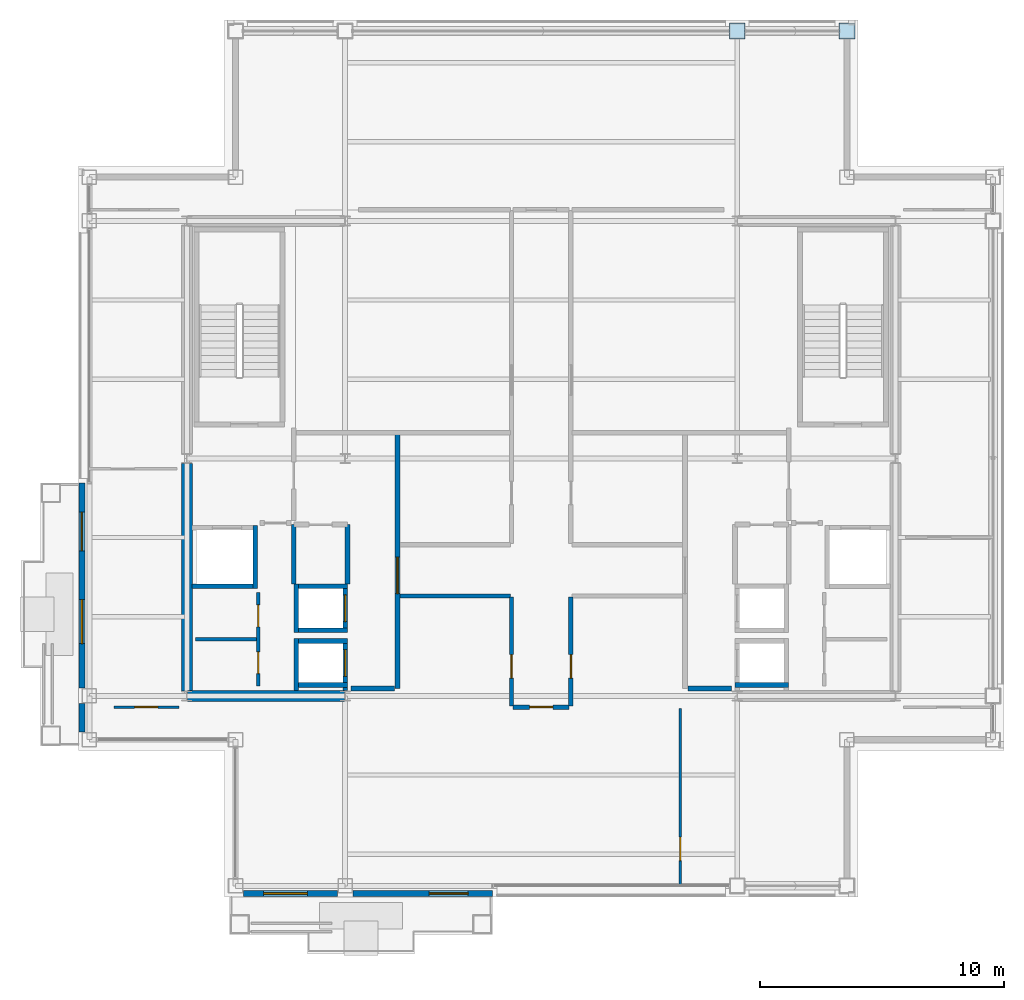
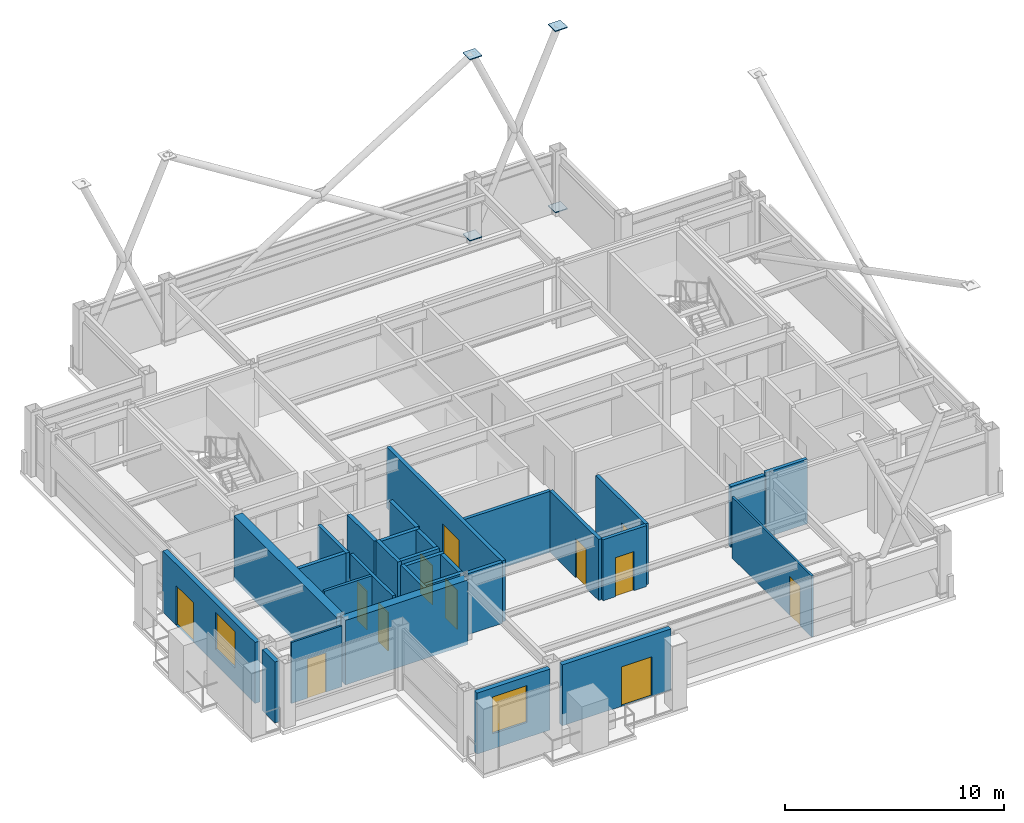
# One storey, part 22 of 27: 30 walls, 12 doors, 4 plates, 2 windows, 14 openings.
"""IFC4 building model written with IfcOpenShell, lengths in metres."""

from ifc_helpers import new_model, si_unit, direction, frame, frame_2d, origin, origin_2d, place, context, subcontext, project, spatial, rectangle, extrude, material, layer, layer_set, type_object, element, fill, save


model = new_model("IFC4")

# Units and contexts
model_context = context("Model", 3, precision=1e-05, world=origin(), true_north=direction((0.0, 1.0)))
body_context = subcontext(model_context, "Body", "Model", "MODEL_VIEW")
ifc_project = project(units=[si_unit("LENGTHUNIT", "METRE"), si_unit("AREAUNIT", "SQUARE_METRE"), si_unit("VOLUMEUNIT", "CUBIC_METRE"), si_unit("PLANEANGLEUNIT", "RADIAN"), si_unit("MASSUNIT", "GRAM", prefix="KILO")], contexts=[model_context])

# Site, building, storey
site_placement = place(None, origin())
site = spatial("IfcSite", under=ifc_project, at=site_placement, CompositionType="ELEMENT")
building_placement = place(site_placement, origin())
building = spatial("IfcBuilding", under=site, at=building_placement, Name="Brelmoor Portico Tower", CompositionType="ELEMENT")
storey_placement = place(building_placement, frame((0.0, 0.0, 258.0)))
storey = spatial("IfcBuildingStorey", under=building, at=storey_placement, Name="L68", CompositionType="ELEMENT", Elevation=258.0)

# Plates
ifc_material_1 = material(Name="Steel Q355B", Category="steel")
ifc_layer_1 = layer(ifc_material_1, 0.044921875)
ifc_layer_set_1 = layer_set([ifc_layer_1], Name="Steel Q355B")
plate_type = type_object("IfcPlateType", Name="PT-CAP-650", PredefinedType="SHEET", material=ifc_layer_set_1)
for number, where, z_axis, x_axis, name in (
    (1, (8.050048828125, 17.550048828125, 10.32763671875), (0.0, 0.0, 1.0), (1.0, 0.0, 0.0), "L68 Continuous Mega-X Brace 152A Joint Cap Plate 2"),
    (2, (8.050048828125, 17.550048828125, 0.2275390625), (0.0, 0.0, 1.0), (1.0, 0.0, 0.0), "L68 Split Mega-X Brace 152B1 Joint Cap Plate 1"),
    (3, (12.550048828125, 17.550048828125, 10.32763671875), (0.0, 0.0, 1.0), (1.0, 0.0, 0.0), "L68 Continuous Mega-X Brace 153A Joint Cap Plate 2"),
    (4, (12.550048828125, 17.550048828125, 0.2275390625), (0.0, 0.0, 1.0), (1.0, 0.0, 0.0), "L68 Split Mega-X Brace 153B1 Joint Cap Plate 1"),
):
    element("IfcPlate", number, at=place(storey_placement, frame(where, z_axis=z_axis, x_axis=x_axis)), inside=storey, type_object=plate_type, Name=name, PredefinedType="SHEET", context=body_context, shape_type="SweptSolid", body=[
        extrude(rectangle(XDim=0.64990234375, YDim=0.64990234375, at=origin_2d()), origin(), (0.0, 0.0, 1.0), 0.044921875),
    ])

# Walls
ifc_material_2 = material(Name="Concrete C50", Category="concrete")
ifc_layer_2 = layer(ifc_material_2, 0.449951171875)
ifc_layer_set_2 = layer_set([ifc_layer_2], Name="Concrete C50")
wall_type_1 = type_object("IfcWallType", Name="WL-CORE-450", PredefinedType="SHEAR", material=ifc_layer_set_2)
wall_1_placement = place(storey_placement, frame((-14.530029296875, -9.75, -0.199951171875), z_axis=(0.0, 0.0, 1.0), x_axis=(1.0, 0.0, 0.0)))
element("IfcWall", 5, at=wall_1_placement, inside=storey, type_object=wall_type_1, Name="L68 WC South Shear Wall", PredefinedType="SHEAR", context=body_context, shape_type="SweptSolid", body=[
    extrude(rectangle(XDim=6.4599609375, YDim=0.449951171875, at=frame_2d((3.22998046875, 0.0))), origin(), (0.0, 0.0, 1.0), 3.599853515625),
])
wall_2_placement = place(storey_placement, frame((-14.550048828125, -9.550048828125, -0.199951171875), z_axis=(0.0, 0.0, 1.0), x_axis=(0.0, 1.0, 0.0)))
element("IfcWall", 6, at=wall_2_placement, inside=storey, type_object=wall_type_1, Name="L68 WC Outer South Shear Wall", PredefinedType="SHEAR", context=body_context, shape_type="SweptSolid", body=[
    extrude(rectangle(XDim=9.35009765625, YDim=0.449951171875, at=frame_2d((4.675048828125, 0.0))), origin(), (0.0, 0.0, 1.0), 3.599853515625),
])

# Wall, opening, window
ifc_material_3 = material(Name="Precast Concrete C40 Insulated Facade Wall", Category="concrete")
ifc_layer_3 = layer(ifc_material_3, 0.25)
ifc_layer_set_3 = layer_set([ifc_layer_3], Name="Precast Concrete C40 Insulated Facade Wall")
wall_type_2 = type_object("IfcWallType", Name="WL-EXT-250", PredefinedType="STANDARD", material=ifc_layer_set_3)
wall_3_placement = place(storey_placement, frame((-12.22998046875, -17.860107421875, 0.0), z_axis=(0.0, 0.0, 1.0), x_axis=(1.0, 0.0, 0.0)))
wall_3 = element("IfcWall", 7, at=wall_3_placement, inside=storey, type_object=wall_type_2, Name="L68 Loggia Threshold Wall S-1", PredefinedType="STANDARD", context=body_context, shape_type="SweptSolid", body=[
    extrude(rectangle(XDim=3.85986328125, YDim=0.25, at=frame_2d((1.929931640625, 0.0))), origin(), (0.0, 0.0, 1.0), 3.39990234375),
])
opening_1_placement = place(wall_3_placement, frame((0.830078125, 0.0, 0.85009765625)))
opening_1 = element("IfcOpeningElement", 8, at=opening_1_placement, cuts=wall_3, Name="Opening W-03C", PredefinedType="OPENING", context=body_context, shape_type="SweptSolid", body=[
    extrude(rectangle(XDim=1.800048828125, YDim=2.050048828125, at=frame_2d((0.89990234375, 1.02490234375))), frame((0.0, 0.135009765625, 0.0), z_axis=(0.0, -1.0, 0.0), x_axis=(1.0, 0.0, 0.0)), (0.0, 0.0, 1.0), 0.27001953125),
])
ifc_material_4 = material(Name="Thermally Broken Aluminium Low-E Window", Category="aluminium")
window_type = type_object("IfcWindowType", Name="WN-LOGGIA-1800x2050", PartitioningType="SINGLE_PANEL", PredefinedType="WINDOW", material=ifc_material_4)
window_1_placement = place(opening_1_placement, origin())
window_1 = element("IfcWindow", 9, at=window_1_placement, inside=storey, type_object=window_type, Name="L68 Loggia Window S", OverallHeight=2.050048828125, OverallWidth=1.800048828125, PartitioningType="SINGLE_PANEL", PredefinedType="WINDOW", context=body_context, shape_type="SweptSolid", body=[
    extrude(rectangle(XDim=1.800048828125, YDim=2.050048828125, at=frame_2d((0.89990234375, 1.02490234375))), frame((0.0, 0.030029296875, 0.0), z_axis=(0.0, -1.0, 0.0), x_axis=(1.0, 0.0, 0.0)), (0.0, 0.0, 1.0), 0.06005859375),
])
fill(opening_1, window_1)

# Wall, opening, door
wall_4_placement = place(storey_placement, frame((-7.72998046875, -17.860107421875, 0.0), z_axis=(0.0, 0.0, 1.0), x_axis=(1.0, 0.0, 0.0)))
wall_4 = element("IfcWall", 10, at=wall_4_placement, inside=storey, type_object=wall_type_2, Name="L68 Loggia Threshold Wall S-2", PredefinedType="STANDARD", context=body_context, shape_type="SweptSolid", body=[
    extrude(rectangle(XDim=5.72998046875, YDim=0.25, at=frame_2d((2.864990234375, 0.0))), origin(), (0.0, 0.0, 1.0), 3.39990234375),
])
opening_2_placement = place(wall_4_placement, frame((3.1298828125, 0.0, 0.0)))
opening_2 = element("IfcOpeningElement", 11, at=opening_2_placement, cuts=wall_4, Name="Opening D-TB1", PredefinedType="OPENING", context=body_context, shape_type="SweptSolid", body=[
    extrude(rectangle(XDim=1.60009765625, YDim=2.199951171875, at=frame_2d((0.800048828125, 1.10009765625))), frame((0.0, 0.135009765625, 0.0), z_axis=(0.0, -1.0, 0.0), x_axis=(1.0, 0.0, 0.0)), (0.0, 0.0, 1.0), 0.27001953125),
])
ifc_material_5 = material(Name="Double-Leaf Thermally Broken Terrace Door", Category="aluminium")
door_type_1 = type_object("IfcDoorType", Name="DR-BALCONY-1600", OperationType="NOTDEFINED", PredefinedType="DOOR", material=ifc_material_5)
door_1_placement = place(opening_2_placement, origin())
door_1 = element("IfcDoor", 12, at=door_1_placement, inside=storey, type_object=door_type_1, Name="D-2810 L68 Tree Balcony Double Door S", OperationType="DOUBLE_DOOR_SINGLE_SWING", OverallHeight=2.199951171875, OverallWidth=1.60009765625, PredefinedType="DOOR", context=body_context, shape_type="SweptSolid", body=[
    extrude(rectangle(XDim=1.60009765625, YDim=2.199951171875, at=frame_2d((0.800048828125, 1.10009765625))), frame((0.0, 0.02490234375, 0.0), z_axis=(0.0, -1.0, 0.0), x_axis=(1.0, 0.0, 0.0)), (0.0, 0.0, 1.0), 0.050048828125),
])
fill(opening_2, door_1)

# Wall
wall_5_placement = place(storey_placement, frame((-18.860107421875, -11.22998046875, 0.0), z_axis=(0.0, 0.0, 1.0), x_axis=(0.0, 1.0, 0.0)))
element("IfcWall", 13, at=wall_5_placement, inside=storey, type_object=wall_type_2, Name="L68 Loggia Threshold Wall W-1", PredefinedType="STANDARD", context=body_context, shape_type="SweptSolid", body=[
    extrude(rectangle(XDim=1.159912109375, YDim=0.25, at=frame_2d((0.580078125, 0.0))), origin(), (0.0, 0.0, 1.0), 3.39990234375),
])

# Wall, openings, door, window
wall_6_placement = place(storey_placement, frame((-18.860107421875, -9.429931640625, 0.0), z_axis=(0.0, 0.0, 1.0), x_axis=(0.0, 1.0, 0.0)))
wall_6 = element("IfcWall", 14, at=wall_6_placement, inside=storey, type_object=wall_type_2, Name="L68 Loggia Threshold Wall W-2", PredefinedType="STANDARD", context=body_context, shape_type="SweptSolid", body=[
    extrude(rectangle(XDim=8.429931640625, YDim=0.25, at=frame_2d((4.21484375, 0.0))), origin(), (0.0, 0.0, 1.0), 3.39990234375),
])
opening_3_placement = place(wall_6_placement, frame((5.6298828125, 0.0, 0.0)))
opening_3 = element("IfcOpeningElement", 15, at=opening_3_placement, cuts=wall_6, Name="Opening D-TB1", PredefinedType="OPENING", context=body_context, shape_type="SweptSolid", body=[
    extrude(rectangle(XDim=1.60009765625, YDim=2.199951171875, at=frame_2d((0.800048828125, 1.10009765625))), frame((0.0, 0.135009765625, 0.0), z_axis=(0.0, -1.0, 0.0), x_axis=(1.0, 0.0, 0.0)), (0.0, 0.0, 1.0), 0.27001953125),
])
opening_4_placement = place(wall_6_placement, frame((1.830078125, 0.0, 0.85009765625)))
opening_4 = element("IfcOpeningElement", 16, at=opening_4_placement, cuts=wall_6, Name="Opening W-03C", PredefinedType="OPENING", context=body_context, shape_type="SweptSolid", body=[
    extrude(rectangle(XDim=1.800048828125, YDim=2.050048828125, at=frame_2d((0.89990234375, 1.02490234375))), frame((0.0, 0.135009765625, 0.0), z_axis=(0.0, -1.0, 0.0), x_axis=(1.0, 0.0, 0.0)), (0.0, 0.0, 1.0), 0.27001953125),
])
door_2_placement = place(opening_3_placement, origin())
door_2 = element("IfcDoor", 17, at=door_2_placement, inside=storey, type_object=door_type_1, Name="D-2811 L68 Tree Balcony Double Door W", OperationType="DOUBLE_DOOR_SINGLE_SWING", OverallHeight=2.199951171875, OverallWidth=1.60009765625, PredefinedType="DOOR", context=body_context, shape_type="SweptSolid", body=[
    extrude(rectangle(XDim=1.60009765625, YDim=2.199951171875, at=frame_2d((0.800048828125, 1.10009765625))), frame((0.0, 0.02490234375, 0.0), z_axis=(0.0, -1.0, 0.0), x_axis=(1.0, 0.0, 0.0)), (0.0, 0.0, 1.0), 0.050048828125),
])
fill(opening_3, door_2)
window_2_placement = place(opening_4_placement, origin())
window_2 = element("IfcWindow", 18, at=window_2_placement, inside=storey, type_object=window_type, Name="L68 Loggia Window W", OverallHeight=2.050048828125, OverallWidth=1.800048828125, PartitioningType="SINGLE_PANEL", PredefinedType="WINDOW", context=body_context, shape_type="SweptSolid", body=[
    extrude(rectangle(XDim=1.800048828125, YDim=2.050048828125, at=frame_2d((0.89990234375, 1.02490234375))), frame((0.0, 0.030029296875, 0.0), z_axis=(0.0, -1.0, 0.0), x_axis=(1.0, 0.0, 0.0)), (0.0, 0.0, 1.0), 0.06005859375),
])
fill(opening_4, window_2)

# Wall, opening, door
ifc_material_6 = material(Name="Demountable Glazed Office Partition", Category="aluminium")
ifc_layer_4 = layer(ifc_material_6, 0.10009765625)
ifc_layer_set_4 = layer_set([ifc_layer_4], Name="Demountable Glazed Office Partition")
wall_type_3 = type_object("IfcWallType", Name="WL-PART-100", PredefinedType="PARTITIONING", material=ifc_layer_set_4)
wall_7_placement = place(storey_placement, frame((5.705078125, -17.56005859375, 0.0), z_axis=(0.0, 0.0, 1.0), x_axis=(0.0, 1.0, 0.0)))
wall_7 = element("IfcWall", 19, at=wall_7_placement, inside=storey, type_object=wall_type_3, Name="L68 South Suite Partition 1", PredefinedType="PARTITIONING", context=body_context, shape_type="SweptSolid", body=[
    extrude(rectangle(XDim=7.2900390625, YDim=0.10009765625, at=frame_2d((3.64501953125, 0.0))), origin(), (0.0, 0.0, 1.0), 3.39990234375),
])
opening_5_placement = place(wall_7_placement, frame((1.050048828125, 0.0, 0.0)))
opening_5 = element("IfcOpeningElement", 20, at=opening_5_placement, cuts=wall_7, Name="Opening D-IN2", PredefinedType="OPENING", context=body_context, shape_type="SweptSolid", body=[
    extrude(rectangle(XDim=0.9599609375, YDim=2.179931640625, at=frame_2d((0.47998046875, 1.08984375))), frame((0.0, 0.06005859375, 0.0), z_axis=(0.0, -1.0, 0.0), x_axis=(1.0, 0.0, 0.0)), (0.0, 0.0, 1.0), 0.1201171875),
])
ifc_material_7 = material(Name="Lacquered Timber Suite Door", Category="wood")
door_type_2 = type_object("IfcDoorType", Name="DR-INT-950", OperationType="NOTDEFINED", PredefinedType="DOOR", material=ifc_material_7)
door_3_placement = place(opening_5_placement, origin())
door_3 = element("IfcDoor", 21, at=door_3_placement, inside=storey, type_object=door_type_2, Name="D-2805 L68 South Suite Connecting Door 1", OperationType="SINGLE_SWING_LEFT", OverallHeight=2.179931640625, OverallWidth=0.9599609375, PredefinedType="DOOR", context=body_context, shape_type="SweptSolid", body=[
    extrude(rectangle(XDim=0.9599609375, YDim=2.179931640625, at=frame_2d((0.47998046875, 1.08984375))), frame((0.0, 0.02490234375, 0.0), z_axis=(0.0, -1.0, 0.0), x_axis=(1.0, 0.0, 0.0)), (0.0, 0.0, 1.0), 0.050048828125),
])
fill(opening_5, door_3)

wall_8_placement = place(storey_placement, frame((-17.550048828125, -10.2099609375, 0.0), z_axis=(0.0, 0.0, 1.0), x_axis=(1.0, 0.0, 0.0)))
wall_8 = element("IfcWall", 22, at=wall_8_placement, inside=storey, type_object=wall_type_3, Name="L68 South Wing Closure WL", PredefinedType="PARTITIONING", context=body_context, shape_type="SweptSolid", body=[
    extrude(rectangle(XDim=2.670166015625, YDim=0.10009765625, at=frame_2d((1.3349609375, 0.0))), origin(), (0.0, 0.0, 1.0), 3.39990234375),
])
opening_6_placement = place(wall_8_placement, frame((0.85498046875, 0.0, 0.0)))
opening_6 = element("IfcOpeningElement", 23, at=opening_6_placement, cuts=wall_8, Name="Opening D-IN2", PredefinedType="OPENING", context=body_context, shape_type="SweptSolid", body=[
    extrude(rectangle(XDim=0.9599609375, YDim=2.179931640625, at=frame_2d((0.47998046875, 1.08984375))), frame((0.0, 0.06005859375, 0.0), z_axis=(0.0, -1.0, 0.0), x_axis=(1.0, 0.0, 0.0)), (0.0, 0.0, 1.0), 0.1201171875),
])
door_4_placement = place(opening_6_placement, origin())
door_4 = element("IfcDoor", 24, at=door_4_placement, inside=storey, type_object=door_type_2, Name="D-2809 L68 WL Wing South Suite Door", OperationType="SINGLE_SWING_LEFT", OverallHeight=2.179931640625, OverallWidth=0.9599609375, PredefinedType="DOOR", context=body_context, shape_type="SweptSolid", body=[
    extrude(rectangle(XDim=0.9599609375, YDim=2.179931640625, at=frame_2d((0.47998046875, 1.08984375))), frame((0.0, 0.02490234375, 0.0), z_axis=(0.0, -1.0, 0.0), x_axis=(1.0, 0.0, 0.0)), (0.0, 0.0, 1.0), 0.050048828125),
])
fill(opening_6, door_4)

# Wall
ifc_material_8 = material(Name="Insulated Stud Suite Partition", Category="gypsum")
ifc_layer_5 = layer(ifc_material_8, 0.139892578125)
ifc_layer_set_5 = layer_set([ifc_layer_5], Name="Insulated Stud Suite Partition")
wall_type_4 = type_object("IfcWallType", Name="WL-PART-140", PredefinedType="PARTITIONING", material=ifc_layer_set_5)
wall_9_placement = place(storey_placement, frame((-11.699951171875, -7.425048828125, 0.0), z_axis=(0.0, 0.0, 1.0), x_axis=(-1.0, 0.0, 0.0)))
element("IfcWall", 25, at=wall_9_placement, inside=storey, type_object=wall_type_4, Name="L68 W Core WC Divider 1", PredefinedType="PARTITIONING", context=body_context, shape_type="SweptSolid", body=[
    extrude(rectangle(XDim=2.5, YDim=0.139892578125, at=frame_2d((1.25, 0.0))), origin(), (0.0, 0.0, 1.0), 3.39990234375),
])

# Wall, openings, doors
ifc_material_9 = material(Name="Twin-Frame Acoustic Partition", Category="gypsum")
ifc_layer_6 = layer(ifc_material_9, 0.159912109375)
ifc_layer_set_6 = layer_set([ifc_layer_6], Name="Twin-Frame Acoustic Partition")
wall_type_5 = type_object("IfcWallType", Name="WL-PART-160", PredefinedType="PARTITIONING", material=ifc_layer_set_6)
wall_10_placement = place(storey_placement, frame((-11.6201171875, -9.35009765625, 0.0), z_axis=(0.0, 0.0, 1.0), x_axis=(0.0, 1.0, 0.0)))
wall_10 = element("IfcWall", 26, at=wall_10_placement, inside=storey, type_object=wall_type_5, Name="L68 W Core Service Front Wall", PredefinedType="PARTITIONING", context=body_context, shape_type="SweptSolid", body=[
    extrude(rectangle(XDim=3.85009765625, YDim=0.159912109375, at=frame_2d((1.925048828125, 0.0))), origin(), (0.0, 0.0, 1.0), 3.39990234375),
])
opening_7_placement = place(wall_10_placement, frame((0.512451171875, 0.0, 0.0)))
opening_7 = element("IfcOpeningElement", 27, at=opening_7_placement, cuts=wall_10, Name="Opening D-IN1", PredefinedType="OPENING", context=body_context, shape_type="SweptSolid", body=[
    extrude(rectangle(XDim=0.89990234375, YDim=2.14990234375, at=frame_2d((0.449951171875, 1.074951171875))), frame((0.0, 0.08984375, 0.0), z_axis=(0.0, -1.0, 0.0), x_axis=(1.0, 0.0, 0.0)), (0.0, 0.0, 1.0), 0.179931640625),
])
opening_8_placement = place(wall_10_placement, frame((2.4375, 0.0, 0.0)))
opening_8 = element("IfcOpeningElement", 28, at=opening_8_placement, cuts=wall_10, Name="Opening D-IN1", PredefinedType="OPENING", context=body_context, shape_type="SweptSolid", body=[
    extrude(rectangle(XDim=0.89990234375, YDim=2.14990234375, at=frame_2d((0.449951171875, 1.074951171875))), frame((0.0, 0.08984375, 0.0), z_axis=(0.0, -1.0, 0.0), x_axis=(1.0, 0.0, 0.0)), (0.0, 0.0, 1.0), 0.179931640625),
])
door_type_3 = type_object("IfcDoorType", Name="DR-INT-900", OperationType="NOTDEFINED", PredefinedType="DOOR", material=ifc_material_7)
door_5_placement = place(opening_7_placement, origin())
door_5 = element("IfcDoor", 29, at=door_5_placement, inside=storey, type_object=door_type_3, Name="D-2793 L68 W Accessible WC Door", OperationType="SINGLE_SWING_LEFT", OverallHeight=2.14990234375, OverallWidth=0.89990234375, PredefinedType="DOOR", context=body_context, shape_type="SweptSolid", body=[
    extrude(rectangle(XDim=0.89990234375, YDim=2.14990234375, at=frame_2d((0.449951171875, 1.074951171875))), frame((0.0, 0.02490234375, 0.0), z_axis=(0.0, -1.0, 0.0), x_axis=(1.0, 0.0, 0.0)), (0.0, 0.0, 1.0), 0.050048828125),
])
fill(opening_7, door_5)
door_6_placement = place(opening_8_placement, origin())
door_6 = element("IfcDoor", 30, at=door_6_placement, inside=storey, type_object=door_type_3, Name="D-2794 L68 W Staff WC Door", OperationType="SINGLE_SWING_RIGHT", OverallHeight=2.14990234375, OverallWidth=0.89990234375, PredefinedType="DOOR", context=body_context, shape_type="SweptSolid", body=[
    extrude(rectangle(XDim=0.89990234375, YDim=2.14990234375, at=frame_2d((0.449951171875, 1.074951171875))), frame((0.0, 0.02490234375, 0.0), z_axis=(0.0, -1.0, 0.0), x_axis=(1.0, 0.0, 0.0)), (0.0, 0.0, 1.0), 0.050048828125),
])
fill(opening_8, door_6)

# Wall, opening, door
ifc_material_10 = material(Name="Acoustic Corridor Fire Partition", Category="gypsum")
ifc_layer_7 = layer(ifc_material_10, 0.179931640625)
ifc_layer_set_7 = layer_set([ifc_layer_7], Name="Acoustic Corridor Fire Partition")
wall_type_6 = type_object("IfcWallType", Name="WL-PART-180", PredefinedType="PARTITIONING", material=ifc_layer_set_7)
wall_11_placement = place(storey_placement, frame((-1.219970703125, -10.169921875, 0.0), z_axis=(0.0, 0.0, 1.0), x_axis=(0.0, 1.0, 0.0)))
wall_11 = element("IfcWall", 31, at=wall_11_placement, inside=storey, type_object=wall_type_6, Name="L68 South Cross West Wall", PredefinedType="PARTITIONING", context=body_context, shape_type="SweptSolid", body=[
    extrude(rectangle(XDim=4.489990234375, YDim=0.179931640625, at=frame_2d((2.2451171875, 0.0))), origin(), (0.0, 0.0, 1.0), 3.39990234375),
])
opening_9_placement = place(wall_11_placement, frame((1.14990234375, 0.0, 0.0)))
opening_9 = element("IfcOpeningElement", 32, at=opening_9_placement, cuts=wall_11, Name="Opening D-IN2", PredefinedType="OPENING", context=body_context, shape_type="SweptSolid", body=[
    extrude(rectangle(XDim=0.9599609375, YDim=2.179931640625, at=frame_2d((0.47998046875, 1.08984375))), frame((0.0, 0.099853515625, 0.0), z_axis=(0.0, -1.0, 0.0), x_axis=(1.0, 0.0, 0.0)), (0.0, 0.0, 1.0), 0.199951171875),
])
door_7_placement = place(opening_9_placement, origin())
door_7 = element("IfcDoor", 33, at=door_7_placement, inside=storey, type_object=door_type_2, Name="D-2786 L68 South-West Archive Room Door", OperationType="SINGLE_SWING_RIGHT", OverallHeight=2.179931640625, OverallWidth=0.9599609375, PredefinedType="DOOR", context=body_context, shape_type="SweptSolid", body=[
    extrude(rectangle(XDim=0.9599609375, YDim=2.179931640625, at=frame_2d((0.47998046875, 1.08984375))), frame((0.0, 0.02490234375, 0.0), z_axis=(0.0, -1.0, 0.0), x_axis=(1.0, 0.0, 0.0)), (0.0, 0.0, 1.0), 0.050048828125),
])
fill(opening_9, door_7)

wall_12_placement = place(storey_placement, frame((1.219970703125, -10.169921875, 0.0), z_axis=(0.0, 0.0, 1.0), x_axis=(0.0, 1.0, 0.0)))
wall_12 = element("IfcWall", 34, at=wall_12_placement, inside=storey, type_object=wall_type_6, Name="L68 South Cross East Wall", PredefinedType="PARTITIONING", context=body_context, shape_type="SweptSolid", body=[
    extrude(rectangle(XDim=4.489990234375, YDim=0.179931640625, at=frame_2d((2.2451171875, 0.0))), origin(), (0.0, 0.0, 1.0), 3.39990234375),
])
opening_10_placement = place(wall_12_placement, frame((1.14990234375, 0.0, 0.0)))
opening_10 = element("IfcOpeningElement", 35, at=opening_10_placement, cuts=wall_12, Name="Opening D-IN2", PredefinedType="OPENING", context=body_context, shape_type="SweptSolid", body=[
    extrude(rectangle(XDim=0.9599609375, YDim=2.179931640625, at=frame_2d((0.47998046875, 1.08984375))), frame((0.0, 0.099853515625, 0.0), z_axis=(0.0, -1.0, 0.0), x_axis=(1.0, 0.0, 0.0)), (0.0, 0.0, 1.0), 0.199951171875),
])
door_8_placement = place(opening_10_placement, origin())
door_8 = element("IfcDoor", 36, at=door_8_placement, inside=storey, type_object=door_type_2, Name="D-2785 L68 South-East Partner Office Door", OperationType="SINGLE_SWING_LEFT", OverallHeight=2.179931640625, OverallWidth=0.9599609375, PredefinedType="DOOR", context=body_context, shape_type="SweptSolid", body=[
    extrude(rectangle(XDim=0.9599609375, YDim=2.179931640625, at=frame_2d((0.47998046875, 1.08984375))), frame((0.0, 0.02490234375, 0.0), z_axis=(0.0, -1.0, 0.0), x_axis=(1.0, 0.0, 0.0)), (0.0, 0.0, 1.0), 0.050048828125),
])
fill(opening_10, door_8)

# Wall
wall_13_placement = place(storey_placement, frame((-5.800048828125, -5.64990234375, 0.0), z_axis=(0.0, 0.0, 1.0), x_axis=(1.0, 0.0, 0.0)))
element("IfcWall", 37, at=wall_13_placement, inside=storey, type_object=wall_type_6, Name="L68 South-West Chamber Top Wall", PredefinedType="PARTITIONING", context=body_context, shape_type="SweptSolid", body=[
    extrude(rectangle(XDim=4.5400390625, YDim=0.179931640625, at=frame_2d((2.27001953125, 0.0))), origin(), (0.0, 0.0, 1.0), 3.39990234375),
])

# Wall, opening, door
wall_14_placement = place(storey_placement, frame((-1.14990234375, -10.2099609375, 0.0), z_axis=(0.0, 0.0, 1.0), x_axis=(1.0, 0.0, 0.0)))
wall_14 = element("IfcWall", 38, at=wall_14_placement, inside=storey, type_object=wall_type_6, Name="L68 South Corridor Partition", PredefinedType="PARTITIONING", context=body_context, shape_type="SweptSolid", body=[
    extrude(rectangle(XDim=2.2998046875, YDim=0.179931640625, at=frame_2d((1.14990234375, 0.0))), origin(), (0.0, 0.0, 1.0), 3.39990234375),
])
opening_11_placement = place(wall_14_placement, frame((0.669921875, 0.0, 0.0)))
opening_11 = element("IfcOpeningElement", 39, at=opening_11_placement, cuts=wall_14, Name="Opening D-IN2", PredefinedType="OPENING", context=body_context, shape_type="SweptSolid", body=[
    extrude(rectangle(XDim=0.9599609375, YDim=2.179931640625, at=frame_2d((0.47998046875, 1.08984375))), frame((0.0, 0.099853515625, 0.0), z_axis=(0.0, -1.0, 0.0), x_axis=(1.0, 0.0, 0.0)), (0.0, 0.0, 1.0), 0.199951171875),
])
door_9_placement = place(opening_11_placement, origin())
door_9 = element("IfcDoor", 40, at=door_9_placement, inside=storey, type_object=door_type_2, Name="D-2804 L68 South Records Storage Room 1 Door", OperationType="SINGLE_SWING_RIGHT", OverallHeight=2.179931640625, OverallWidth=0.9599609375, PredefinedType="DOOR", context=body_context, shape_type="SweptSolid", body=[
    extrude(rectangle(XDim=0.9599609375, YDim=2.179931640625, at=frame_2d((0.47998046875, 1.08984375))), frame((0.0, 0.02490234375, 0.0), z_axis=(0.0, -1.0, 0.0), x_axis=(1.0, 0.0, 0.0)), (0.0, 0.0, 1.0), 0.050048828125),
])
fill(opening_11, door_9)

ifc_material_11 = material(Name="Double-Stud Gypsum Fire Partition", Category="gypsum")
ifc_layer_8 = layer(ifc_material_11, 0.199951171875)
ifc_layer_set_8 = layer_set([ifc_layer_8], Name="Double-Stud Gypsum Fire Partition")
wall_type_7 = type_object("IfcWallType", Name="WL-PART-200", PredefinedType="PARTITIONING", material=ifc_layer_set_8)
wall_15_placement = place(storey_placement, frame((-5.89990234375, -9.449951171875, 0.0), z_axis=(0.0, 0.0, 1.0), x_axis=(0.0, 1.0, 0.0)))
wall_15 = element("IfcWall", 41, at=wall_15_placement, inside=storey, type_object=wall_type_7, Name="L68 W Core Lobby Compartment Wall", PredefinedType="PARTITIONING", context=body_context, shape_type="SweptSolid", body=[
    extrude(rectangle(XDim=10.5, YDim=0.199951171875, at=frame_2d((5.25, 0.0))), origin(), (0.0, 0.0, 1.0), 3.39990234375),
])
opening_12_placement = place(wall_15_placement, frame((3.89990234375, 0.0, 0.0)))
opening_12 = element("IfcOpeningElement", 42, at=opening_12_placement, cuts=wall_15, Name="Opening D-LB1", PredefinedType="OPENING", context=body_context, shape_type="SweptSolid", body=[
    extrude(rectangle(XDim=1.5, YDim=2.199951171875, at=frame_2d((0.75, 1.10009765625))), frame((0.0, 0.10986328125, 0.0), z_axis=(0.0, -1.0, 0.0), x_axis=(1.0, 0.0, 0.0)), (0.0, 0.0, 1.0), 0.219970703125),
])
ifc_material_12 = material(Name="Double-Leaf Glazed Steel Fire Door", Category="steel")
door_type_4 = type_object("IfcDoorType", Name="DR-LOBBY-1500", OperationType="NOTDEFINED", PredefinedType="DOOR", material=ifc_material_12)
door_10_placement = place(opening_12_placement, origin())
door_10 = element("IfcDoor", 43, at=door_10_placement, inside=storey, type_object=door_type_4, Name="D-2800 L68 W Lift Lobby Main Door", OperationType="DOUBLE_DOOR_SINGLE_SWING", OverallHeight=2.199951171875, OverallWidth=1.5, PredefinedType="DOOR", context=body_context, shape_type="SweptSolid", body=[
    extrude(rectangle(XDim=1.5, YDim=2.199951171875, at=frame_2d((0.75, 1.10009765625))), frame((0.0, 0.02490234375, 0.0), z_axis=(0.0, -1.0, 0.0), x_axis=(1.0, 0.0, 0.0)), (0.0, 0.0, 1.0), 0.050048828125),
])
fill(opening_12, door_10)

# Walls
wall_16_placement = place(storey_placement, frame((-6.02001953125, -9.449951171875, 0.0), z_axis=(0.0, 0.0, 1.0), x_axis=(-1.0, 0.0, 0.0)))
element("IfcWall", 44, at=wall_16_placement, inside=storey, type_object=wall_type_7, Name="L68 W Lift Lobby South End Wall", PredefinedType="PARTITIONING", context=body_context, shape_type="SweptSolid", body=[
    extrude(rectangle(XDim=1.800048828125, YDim=0.199951171875, at=frame_2d((0.89990234375, 0.0))), origin(), (0.0, 0.0, 1.0), 3.39990234375),
])
for number, where, z_axis, x_axis, name in (
    (45, (-7.9599609375, -5.159912109375, 0.0), (0.0, 0.0, 1.0), (0.0, 1.0, 0.0), "L68 W Electrical Switchgear Closet Inner Wall"),
    (46, (-10.159912109375, -5.159912109375, 0.0), (0.0, 0.0, 1.0), (0.0, 1.0, 0.0), "L68 W Electrical Switchgear Closet Outer Wall"),
):
    element("IfcWall", number, at=place(storey_placement, frame(where, z_axis=z_axis, x_axis=x_axis)), inside=storey, type_object=wall_type_7, Name=name, PredefinedType="PARTITIONING", context=body_context, shape_type="SweptSolid", body=[
        extrude(rectangle(XDim=2.43994140625, YDim=0.199951171875, at=frame_2d((1.219970703125, 0.0))), origin(), (0.0, 0.0, 1.0), 3.39990234375),
    ])
wall_17_placement = place(storey_placement, frame((6.02001953125, -9.449951171875, 0.0), z_axis=(0.0, 0.0, 1.0), x_axis=(1.0, 0.0, 0.0)))
element("IfcWall", 47, at=wall_17_placement, inside=storey, type_object=wall_type_7, Name="L68 E Lift Lobby South End Wall", PredefinedType="PARTITIONING", context=body_context, shape_type="SweptSolid", body=[
    extrude(rectangle(XDim=1.800048828125, YDim=0.199951171875, at=frame_2d((0.89990234375, 0.0))), origin(), (0.0, 0.0, 1.0), 3.39990234375),
])

# Wall, opening, door
ifc_material_13 = material(Name="Precast Concrete C40", Category="concrete")
ifc_layer_9 = layer(ifc_material_13, 0.18994140625)
ifc_layer_set_9 = layer_set([ifc_layer_9], Name="Precast Concrete C40")
wall_type_8 = type_object("IfcWallType", Name="WL-SHAFT-180", PredefinedType="SOLIDWALL", material=ifc_layer_set_9)
wall_18_placement = place(storey_placement, frame((-8.044921875, -9.52001953125, -0.199951171875), z_axis=(0.0, 0.0, 1.0), x_axis=(0.0, 1.0, 0.0)))
wall_18 = element("IfcWall", 48, at=wall_18_placement, inside=storey, type_object=wall_type_8, Name="L68 Lift PH1 Hoistway Front Wall", PredefinedType="SOLIDWALL", context=body_context, shape_type="SweptSolid", body=[
    extrude(rectangle(XDim=2.1201171875, YDim=0.18994140625, at=frame_2d((1.06005859375, 0.0))), origin(), (0.0, 0.0, 1.0), 3.599853515625),
])
opening_13_placement = place(wall_18_placement, frame((0.570068359375, 0.0, 0.199951171875)))
opening_13 = element("IfcOpeningElement", 49, at=opening_13_placement, cuts=wall_18, Name="Opening LD-01", PredefinedType="OPENING", context=body_context, shape_type="SweptSolid", body=[
    extrude(rectangle(XDim=1.10009765625, YDim=2.199951171875, at=frame_2d((0.550048828125, 1.10009765625))), frame((0.0, 0.10498046875, 0.0), z_axis=(0.0, -1.0, 0.0), x_axis=(1.0, 0.0, 0.0)), (0.0, 0.0, 1.0), 0.2099609375),
])
ifc_material_14 = material(Name="Brushed Stainless Steel Sliding Lift Door", Category="steel")
door_type_5 = type_object("IfcDoorType", Name="DR-LIFT-1100", OperationType="NOTDEFINED", PredefinedType="DOOR", material=ifc_material_14)
door_11_placement = place(opening_13_placement, origin())
door_11 = element("IfcDoor", 50, at=door_11_placement, inside=storey, type_object=door_type_5, Name="D-2816 L68 Lift PH1 Sliding Landing Door", OperationType="SLIDING_TO_LEFT", OverallHeight=2.199951171875, OverallWidth=1.10009765625, PredefinedType="DOOR", context=body_context, shape_type="SweptSolid", body=[
    extrude(rectangle(XDim=1.10009765625, YDim=2.199951171875, at=frame_2d((0.550048828125, 1.10009765625))), frame((0.0, 0.02490234375, 0.0), z_axis=(0.0, -1.0, 0.0), x_axis=(1.0, 0.0, 0.0)), (0.0, 0.0, 1.0), 0.050048828125),
])
fill(opening_13, door_11)

# Walls
wall_19_placement = place(storey_placement, frame((-10.054931640625, -9.52001953125, -0.199951171875), z_axis=(0.0, 0.0, 1.0), x_axis=(0.0, 1.0, 0.0)))
element("IfcWall", 51, at=wall_19_placement, inside=storey, type_object=wall_type_8, Name="L68 Lift PH1 Hoistway Back Wall", PredefinedType="SOLIDWALL", context=body_context, shape_type="SweptSolid", body=[
    extrude(rectangle(XDim=2.1201171875, YDim=0.18994140625, at=frame_2d((1.06005859375, 0.0))), origin(), (0.0, 0.0, 1.0), 3.599853515625),
])
for number, where, z_axis, x_axis, name in (
    (52, (-10.14990234375, -7.4951171875, -0.199951171875), (0.0, 0.0, 1.0), (1.0, 0.0, 0.0), "L68 Lift PH1 Hoistway North Wall"),
    (53, (-10.14990234375, -9.304931640625, -0.199951171875), (0.0, 0.0, 1.0), (1.0, 0.0, 0.0), "L68 Lift PH1 Hoistway South Wall"),
):
    element("IfcWall", number, at=place(storey_placement, frame(where, z_axis=z_axis, x_axis=x_axis)), inside=storey, type_object=wall_type_8, Name=name, PredefinedType="SOLIDWALL", context=body_context, shape_type="SweptSolid", body=[
        extrude(rectangle(XDim=2.199951171875, YDim=0.18994140625, at=frame_2d((1.10009765625, 0.0))), origin(), (0.0, 0.0, 1.0), 3.599853515625),
    ])

# Wall, opening, door
wall_20_placement = place(storey_placement, frame((-8.044921875, -7.14990234375, -0.199951171875), z_axis=(0.0, 0.0, 1.0), x_axis=(0.0, 1.0, 0.0)))
wall_20 = element("IfcWall", 54, at=wall_20_placement, inside=storey, type_object=wall_type_8, Name="L68 Lift PH2 Hoistway Front Wall", PredefinedType="SOLIDWALL", context=body_context, shape_type="SweptSolid", body=[
    extrude(rectangle(XDim=2.0, YDim=0.18994140625, at=frame_2d((1.0, 0.0))), origin(), (0.0, 0.0, 1.0), 3.599853515625),
])
opening_14_placement = place(wall_20_placement, frame((0.449951171875, 0.0, 0.199951171875)))
opening_14 = element("IfcOpeningElement", 55, at=opening_14_placement, cuts=wall_20, Name="Opening LD-01", PredefinedType="OPENING", context=body_context, shape_type="SweptSolid", body=[
    extrude(rectangle(XDim=1.10009765625, YDim=2.199951171875, at=frame_2d((0.550048828125, 1.10009765625))), frame((0.0, 0.10498046875, 0.0), z_axis=(0.0, -1.0, 0.0), x_axis=(1.0, 0.0, 0.0)), (0.0, 0.0, 1.0), 0.2099609375),
])
door_12_placement = place(opening_14_placement, origin())
door_12 = element("IfcDoor", 56, at=door_12_placement, inside=storey, type_object=door_type_5, Name="D-2817 L68 Lift PH2 Sliding Landing Door", OperationType="SLIDING_TO_LEFT", OverallHeight=2.199951171875, OverallWidth=1.10009765625, PredefinedType="DOOR", context=body_context, shape_type="SweptSolid", body=[
    extrude(rectangle(XDim=1.10009765625, YDim=2.199951171875, at=frame_2d((0.550048828125, 1.10009765625))), frame((0.0, 0.02490234375, 0.0), z_axis=(0.0, -1.0, 0.0), x_axis=(1.0, 0.0, 0.0)), (0.0, 0.0, 1.0), 0.050048828125),
])
fill(opening_14, door_12)

# Walls
wall_21_placement = place(storey_placement, frame((-10.054931640625, -7.14990234375, -0.199951171875), z_axis=(0.0, 0.0, 1.0), x_axis=(0.0, 1.0, 0.0)))
element("IfcWall", 57, at=wall_21_placement, inside=storey, type_object=wall_type_8, Name="L68 Lift PH2 Hoistway Back Wall", PredefinedType="SOLIDWALL", context=body_context, shape_type="SweptSolid", body=[
    extrude(rectangle(XDim=2.0, YDim=0.18994140625, at=frame_2d((1.0, 0.0))), origin(), (0.0, 0.0, 1.0), 3.599853515625),
])
for number, where, z_axis, x_axis, name in (
    (58, (-10.14990234375, -5.2451171875, -0.199951171875), (0.0, 0.0, 1.0), (1.0, 0.0, 0.0), "L68 Lift PH2 Hoistway North Wall"),
    (59, (-10.14990234375, -7.054931640625, -0.199951171875), (0.0, 0.0, 1.0), (1.0, 0.0, 0.0), "L68 Lift PH2 Hoistway South Wall"),
    (60, (7.949951171875, -9.304931640625, -0.199951171875), (0.0, 0.0, 1.0), (1.0, 0.0, 0.0), "L68 Lift PH3 Hoistway South Wall"),
):
    element("IfcWall", number, at=place(storey_placement, frame(where, z_axis=z_axis, x_axis=x_axis)), inside=storey, type_object=wall_type_8, Name=name, PredefinedType="SOLIDWALL", context=body_context, shape_type="SweptSolid", body=[
        extrude(rectangle(XDim=2.199951171875, YDim=0.18994140625, at=frame_2d((1.10009765625, 0.0))), origin(), (0.0, 0.0, 1.0), 3.599853515625),
    ])
wall_22_placement = place(storey_placement, frame((-14.330078125, -5.2548828125, -0.199951171875), z_axis=(0.0, 0.0, 1.0), x_axis=(1.0, 0.0, 0.0)))
element("IfcWall", 61, at=wall_22_placement, inside=storey, type_object=wall_type_8, Name="L68 Firefighting Lift FF1 South Wall", PredefinedType="SOLIDWALL", context=body_context, shape_type="SweptSolid", body=[
    extrude(rectangle(XDim=2.68017578125, YDim=0.18994140625, at=frame_2d((1.340087890625, 0.0))), origin(), (0.0, 0.0, 1.0), 3.599853515625),
])
wall_23_placement = place(storey_placement, frame((-11.7451171875, -5.35009765625, -0.199951171875), z_axis=(0.0, 0.0, 1.0), x_axis=(0.0, 1.0, 0.0)))
element("IfcWall", 62, at=wall_23_placement, inside=storey, type_object=wall_type_8, Name="L68 Firefighting Lift FF1 Inner Wall", PredefinedType="SOLIDWALL", context=body_context, shape_type="SweptSolid", body=[
    extrude(rectangle(XDim=2.60009765625, YDim=0.18994140625, at=frame_2d((1.300048828125, 0.0))), origin(), (0.0, 0.0, 1.0), 3.599853515625),
])

save(model, "model.ifc")
